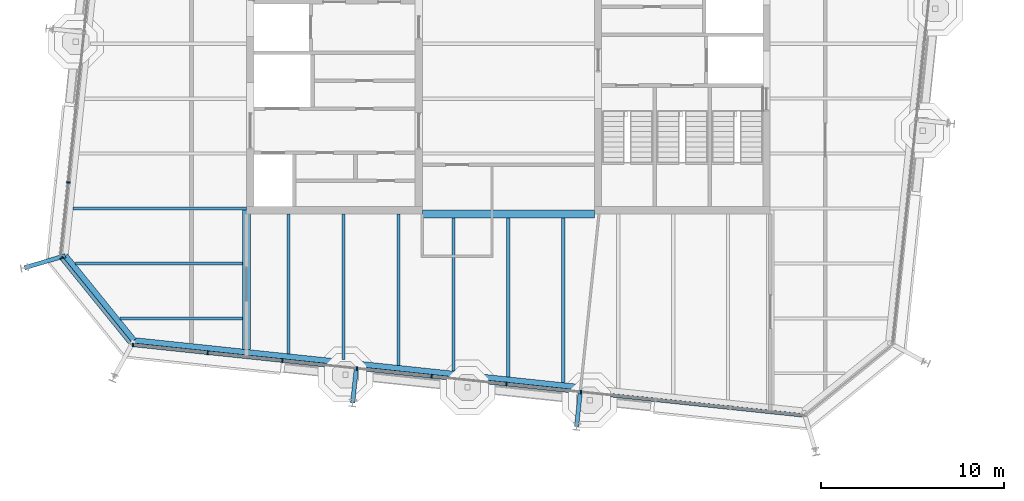
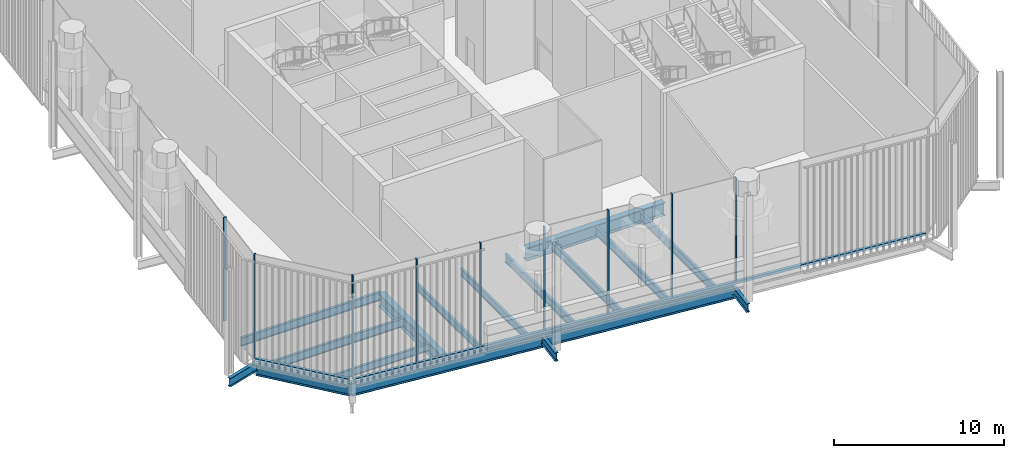
# One storey, part 3 of 17: 17 beams, 11 members, 3 elements without a shape of their own.
"""IFC4 building model written with IfcOpenShell, lengths in metres."""

import ifcopenshell
import ifcopenshell.guid

model = None  # the IFC model being written
_history = None  # IfcOwnerHistory: only IFC2X3 demands one
_inside = {}  # id of a spatial element -> (the spatial element, [elements in it])
_under = {}  # id of a project, library or spatial element -> (it, [spatial elements below it])
_declared = {}  # id of a project -> (the project, [libraries it declares])
_typed = {}  # id of a type object -> (the type object, [elements of that type])
_made_of = {}  # id of a material, layer set ... -> (it, [elements and type objects made of it])


def new_model(schema):
    """Start an empty IFC model of exactly this schema.

    Asked for "IFC4X3", IfcOpenShell would pick the latest addendum, in which some entities
    have other attributes; the version numbers below select the first issue.
    IFC2X3 requires an IfcOwnerHistory on every rooted entity: one is made here for all.
    """
    global model, _history
    if schema == "IFC4X3":
        model = ifcopenshell.file(schema_version=(4, 3, 0, 0))
    else:
        model = ifcopenshell.file(schema=schema)
    _inside.clear()
    _under.clear()
    _declared.clear()
    _typed.clear()
    _made_of.clear()
    _history = None
    if model.schema == "IFC2X3":
        org = make("IfcOrganization", Name="unknown")
        user = make(
            "IfcPersonAndOrganization",
            ThePerson=make("IfcPerson", FamilyName="unknown"),
            TheOrganization=org,
        )
        app = make(
            "IfcApplication",
            ApplicationDeveloper=org,
            Version="unknown",
            ApplicationFullName="unknown",
            ApplicationIdentifier="unknown",
        )
        _history = make(
            "IfcOwnerHistory",
            OwningUser=user,
            OwningApplication=app,
            ChangeAction="ADDED",
            CreationDate=0,
        )
    return model


def make(cls, **values):
    """One entity of the class cls with the attributes given. An attribute that is None is left unset."""
    return model.create_entity(
        cls, **{name: value for name, value in values.items() if value is not None}
    )


def rooted(cls, **values):
    """An entity with a GlobalId (a new one), such as an element, a storey or a relation."""
    return make(cls, GlobalId=ifcopenshell.guid.new(), OwnerHistory=_history, **values)


def si_unit(unit_type, name, prefix=None):
    """IfcSIUnit, for example si_unit("LENGTHUNIT", "METRE", prefix="MILLI")."""
    return make("IfcSIUnit", UnitType=unit_type, Prefix=prefix, Name=name)


def assignment(units):
    """IfcUnitAssignment: the units of a project."""
    return None if units is None else make("IfcUnitAssignment", Units=units)


def point(xyz):
    """IfcCartesianPoint."""
    return None if xyz is None else make("IfcCartesianPoint", Coordinates=xyz)


def direction(xyz):
    """IfcDirection."""
    return None if xyz is None else make("IfcDirection", DirectionRatios=xyz)


def frame(location, z_axis=None, x_axis=None):
    """IfcAxis2Placement3D, a coordinate frame: its origin and axes. An axis left out is left unset."""
    return make(
        "IfcAxis2Placement3D",
        Location=point(location),
        Axis=direction(z_axis),
        RefDirection=direction(x_axis),
    )


def frame_2d(location, x_axis=None):
    """IfcAxis2Placement2D, a coordinate frame in the plane: its origin and x axis."""
    return make(
        "IfcAxis2Placement2D", Location=point(location), RefDirection=direction(x_axis)
    )


def origin():
    """The frame at (0, 0, 0) with its axes left unset."""
    return frame((0.0, 0.0, 0.0))


def origin_2d():
    """The frame at (0, 0) in the plane with its x axis left unset."""
    return frame_2d((0.0, 0.0))


def place(relative_to, where):
    """IfcLocalPlacement: puts the frame where relative to a parent placement (None: the world)."""
    return make(
        "IfcLocalPlacement", PlacementRelTo=relative_to, RelativePlacement=where
    )


def context(
    kind, dimensions, precision=None, world=None, true_north=None, identifier=None
):
    """IfcGeometricRepresentationContext, for example the 3D "Model" context."""
    return make(
        "IfcGeometricRepresentationContext",
        ContextIdentifier=identifier,
        ContextType=kind,
        CoordinateSpaceDimension=dimensions,
        Precision=precision,
        WorldCoordinateSystem=world,
        TrueNorth=true_north,
    )


def subcontext(parent, identifier, kind, view, scale=None):
    """IfcGeometricRepresentationSubContext, for example "Body" below "Model"."""
    return make(
        "IfcGeometricRepresentationSubContext",
        ContextIdentifier=identifier,
        ContextType=kind,
        ParentContext=parent,
        TargetScale=scale,
        TargetView=view,
    )


def project(units=None, contexts=None):
    """IfcProject with its units and contexts."""
    return rooted(
        "IfcProject",
        Name="project",
        RepresentationContexts=contexts,
        UnitsInContext=assignment(units),
    )


def spatial(cls, under=None, at=None, **own):
    """A site, building, storey or space (cls), placed at a placement, below another one or the project."""
    s = rooted(cls, ObjectPlacement=at, **own)
    if under is not None:
        _under.setdefault(under.id(), (under, []))[1].append(s)
    return s


def profile(cls, at=None, kind="AREA", **sizes):
    """A parametric profile (cls). Its sizes go by their IFC names, for example OverallWidth=200.0."""
    return make(cls, ProfileType=kind, Position=at, **sizes)


def rectangle(**sizes):
    """IfcRectangleProfileDef."""
    return profile("IfcRectangleProfileDef", **sizes)


def i_section(**sizes):
    """IfcIShapeProfileDef."""
    return profile("IfcIShapeProfileDef", **sizes)


def extrude(swept, where, along, depth):
    """IfcExtrudedAreaSolid: the profile swept, set in the frame where, extruded along a direction by depth."""
    return make(
        "IfcExtrudedAreaSolid",
        SweptArea=swept,
        Position=where,
        ExtrudedDirection=direction(along),
        Depth=depth,
    )


def shape(context_of_items, identifier, shape_type, items):
    """IfcShapeRepresentation: the items that make up one representation, for example the "Body"."""
    return make(
        "IfcShapeRepresentation",
        ContextOfItems=context_of_items,
        RepresentationIdentifier=identifier,
        RepresentationType=shape_type,
        Items=items,
    )


def material(Name=None, Category=None):
    """IfcMaterial."""
    return make("IfcMaterial", Name=Name, Category=Category)


def layer(
    of_material, thickness, ventilated=None, Name=None, Category=None, Priority=None
):
    """IfcMaterialLayer: one layer of a wall or slab, of a material (None: an air gap)."""
    return make(
        "IfcMaterialLayer",
        Material=of_material,
        LayerThickness=thickness,
        IsVentilated=ventilated,
        Name=Name,
        Category=Category,
        Priority=Priority,
    )


def layer_set(layers, Name=None):
    """IfcMaterialLayerSet."""
    return make("IfcMaterialLayerSet", MaterialLayers=layers, LayerSetName=Name)


def material_profile(
    of_material, cross_section, Name=None, Category=None, Priority=None
):
    """IfcMaterialProfile: a cross section and its material."""
    return make(
        "IfcMaterialProfile",
        Name=Name,
        Material=of_material,
        Profile=cross_section,
        Priority=Priority,
        Category=Category,
    )


def profile_set(profiles, Name=None, composite=None):
    """IfcMaterialProfileSet."""
    return make(
        "IfcMaterialProfileSet",
        Name=Name,
        MaterialProfiles=profiles,
        CompositeProfile=composite,
    )


def made_of(thing, what):
    """Note that an element or type object is made of a material, layer set ...; save() writes the relation."""
    if what is not None:
        _made_of.setdefault(what.id(), (what, []))[1].append(thing)
    return thing


def type_object(cls, material=None, **own):
    """A type object (cls), such as IfcWallType, which elements share."""
    return made_of(rooted(cls, **own), material)


def element(
    cls,
    number,
    at=None,
    inside=None,
    cuts=None,
    type_object=None,
    material=None,
    context=None,
    identifier="Body",
    shape_type=None,
    held_by="IfcProductDefinitionShape",
    body=None,
    shapes=None,
    **own,
):
    """One element of the class cls, such as IfcWall. Its Tag is "e" and its number.

    at: its placement. inside: the storey or other place that contains it. cuts: it is an
    opening in that element (IfcRelVoidsElement). A single representation is given by context,
    identifier, shape_type and body (its items); several are given by shapes. held_by: the class
    of the entity that holds the representations. save() writes the other relations.
    """
    e = rooted(cls, Tag="e%d" % number, ObjectPlacement=at, **own)
    if body is not None:
        shapes = [shape(context, identifier, shape_type, body)]
    if shapes is not None:
        e.Representation = make(held_by, Representations=shapes)
    if inside is not None:
        _inside.setdefault(inside.id(), (inside, []))[1].append(e)
    if cuts is not None:
        rooted(
            "IfcRelVoidsElement", RelatingBuildingElement=cuts, RelatedOpeningElement=e
        )
    if type_object is not None:
        _typed.setdefault(type_object.id(), (type_object, []))[1].append(e)
    return made_of(e, material)


def aggregate(whole, parts):
    """IfcRelAggregates: a whole, such as a stair, and the parts it consists of."""
    return rooted("IfcRelAggregates", RelatingObject=whole, RelatedObjects=parts)


def save(model, path):
    """Write the relations noted so far, then the file.

    IfcRelAggregates (storeys below a building ...), IfcRelContainedInSpatialStructure (elements
    in a storey), IfcRelDefinesByType, IfcRelAssociatesMaterial and IfcRelDeclares: one each for
    every whole, place, type object, material and project.
    """
    for whole, parts in _under.values():
        aggregate(whole, parts)
    for where, things in _inside.values():
        rooted(
            "IfcRelContainedInSpatialStructure",
            RelatedElements=things,
            RelatingStructure=where,
        )
    for kind, things in _typed.values():
        rooted("IfcRelDefinesByType", RelatedObjects=things, RelatingType=kind)
    for what, things in _made_of.values():
        rooted("IfcRelAssociatesMaterial", RelatedObjects=things, RelatingMaterial=what)
    for by, libraries in _declared.values():
        rooted("IfcRelDeclares", RelatingContext=by, RelatedDefinitions=libraries)
    model.write(path)


model = new_model("IFC4")

# Units and contexts
model_context = context("Model", 3, precision=1e-05, world=origin(), true_north=direction((0.0, 1.0)))
body_context = subcontext(model_context, "Body", "Model", "MODEL_VIEW")
ifc_project = project(units=[si_unit("LENGTHUNIT", "METRE"), si_unit("AREAUNIT", "SQUARE_METRE"), si_unit("VOLUMEUNIT", "CUBIC_METRE"), si_unit("PLANEANGLEUNIT", "RADIAN"), si_unit("MASSUNIT", "GRAM", prefix="KILO")], contexts=[model_context])

# Site, building, storey
site_placement = place(None, origin())
site = spatial("IfcSite", under=ifc_project, at=site_placement, CompositionType="ELEMENT")
building_placement = place(site_placement, origin())
building = spatial("IfcBuilding", under=site, at=building_placement, Name="Millrace Tower", CompositionType="ELEMENT")
storey_placement = place(building_placement, frame((0.0, 0.0, 311.10009765625)))
storey = spatial("IfcBuildingStorey", under=building, at=storey_placement, Name="L72", CompositionType="ELEMENT", Elevation=311.10009765625)

# Curtain wall, member
ifc_material_1 = material(Name="Aluminium and glass", Category="aluminium")
ifc_layer = layer(ifc_material_1, 0.199951171875)
ifc_layer_set = layer_set([ifc_layer], Name="Aluminium and glass")
curtain_wall_type = type_object("IfcCurtainWallType", Name="CW-4 sky garden winter glazing", PredefinedType="NOTDEFINED", material=ifc_layer_set)
placement = place(storey_placement, origin())
curtain_wall_1 = element("IfcCurtainWall", 1, at=placement, inside=storey, type_object=curtain_wall_type, Name="Curtain wall E-F01 L72", PredefinedType="NOTDEFINED")
ifc_material_2 = material(Name="Aluminium", Category="aluminium")
ifc_material_profile_1 = material_profile(ifc_material_2, rectangle(XDim=0.080078125, YDim=0.199951171875, at=origin_2d()))
ifc_profile_set_1 = profile_set([ifc_material_profile_1], Name="Aluminium")
member_type_1 = type_object("IfcMemberType", Name="CW-4 sky garden winter glazing mullion", PredefinedType="MULLION", material=ifc_profile_set_1)
member_1_placement = place(storey_placement, frame((-24.406494140625, -11.71484375, 0.179931640625), z_axis=(0.0, 0.0, 1.0), x_axis=(0.629320278945, -0.777146052237, 0.0)))
member_1 = element("IfcMember", 2, at=member_1_placement, type_object=member_type_1, Name="CW4 mullion E-F01.1", PredefinedType="MULLION", context=body_context, shape_type="SweptSolid", body=[
    extrude(rectangle(XDim=0.080078125, YDim=0.199951171875, at=origin_2d()), origin(), (0.0, 0.0, 1.0), 7.419921875),
])

# Curtain wall, members
curtain_wall_2 = element("IfcCurtainWall", 3, at=placement, inside=storey, type_object=curtain_wall_type, Name="Curtain wall E-F02 L72", PredefinedType="NOTDEFINED")
member_2_placement = place(storey_placement, frame((-20.49755859375, -16.450439453125, 0.179931640625), z_axis=(0.0, 0.0, 1.0), x_axis=(0.994521896217, -0.104528455196, 0.0)))
member_2 = element("IfcMember", 4, at=member_2_placement, type_object=member_type_1, Name="CW4 mullion E-F02.1", PredefinedType="MULLION", context=body_context, shape_type="SweptSolid", body=[
    extrude(rectangle(XDim=0.080078125, YDim=0.199951171875, at=origin_2d()), origin(), (0.0, 0.0, 1.0), 7.419921875),
])
member_3_placement = place(storey_placement, frame((-16.420166015625, -16.87890625, 0.179931640625), z_axis=(0.0, 0.0, 1.0), x_axis=(0.994521896217, -0.104528455196, 0.0)))
member_3 = element("IfcMember", 5, at=member_3_placement, type_object=member_type_1, Name="CW4 mullion E-F02.2", PredefinedType="MULLION", context=body_context, shape_type="SweptSolid", body=[
    extrude(rectangle(XDim=0.080078125, YDim=0.199951171875, at=origin_2d()), origin(), (0.0, 0.0, 1.0), 7.419921875),
])
member_4_placement = place(storey_placement, frame((-12.342529296875, -17.3076171875, 0.179931640625), z_axis=(0.0, 0.0, 1.0), x_axis=(0.994521896217, -0.104528455196, 0.0)))
member_4 = element("IfcMember", 6, at=member_4_placement, type_object=member_type_1, Name="CW4 mullion E-F02.3", PredefinedType="MULLION", context=body_context, shape_type="SweptSolid", body=[
    extrude(rectangle(XDim=0.080078125, YDim=0.199951171875, at=origin_2d()), origin(), (0.0, 0.0, 1.0), 7.419921875),
])
member_5_placement = place(storey_placement, frame((-8.264892578125, -17.736083984375, 0.179931640625), z_axis=(0.0, 0.0, 1.0), x_axis=(0.994521896217, -0.104528455196, 0.0)))
member_5 = element("IfcMember", 7, at=member_5_placement, type_object=member_type_1, Name="CW4 mullion E-F02.4", PredefinedType="MULLION", context=body_context, shape_type="SweptSolid", body=[
    extrude(rectangle(XDim=0.080078125, YDim=0.199951171875, at=origin_2d()), origin(), (0.0, 0.0, 1.0), 7.419921875),
])
member_6_placement = place(storey_placement, frame((-4.1875, -18.164794921875, 0.179931640625), z_axis=(0.0, 0.0, 1.0), x_axis=(0.994521896217, -0.104528455196, 0.0)))
member_6 = element("IfcMember", 8, at=member_6_placement, type_object=member_type_1, Name="CW4 mullion E-F02.5", PredefinedType="MULLION", context=body_context, shape_type="SweptSolid", body=[
    extrude(rectangle(XDim=0.080078125, YDim=0.199951171875, at=origin_2d()), origin(), (0.0, 0.0, 1.0), 7.419921875),
])
member_7_placement = place(storey_placement, frame((-0.10986328125, -18.59326171875, 0.179931640625), z_axis=(0.0, 0.0, 1.0), x_axis=(0.994521896217, -0.104528455196, 0.0)))
member_7 = element("IfcMember", 9, at=member_7_placement, type_object=member_type_1, Name="CW4 mullion E-F02.6", PredefinedType="MULLION", context=body_context, shape_type="SweptSolid", body=[
    extrude(rectangle(XDim=0.080078125, YDim=0.199951171875, at=origin_2d()), origin(), (0.0, 0.0, 1.0), 7.419921875),
])
member_8_placement = place(storey_placement, frame((3.967529296875, -19.02197265625, 0.179931640625), z_axis=(0.0, 0.0, 1.0), x_axis=(0.994521896217, -0.104528455196, 0.0)))
member_8 = element("IfcMember", 10, at=member_8_placement, type_object=member_type_1, Name="CW4 mullion E-F02.7", PredefinedType="MULLION", context=body_context, shape_type="SweptSolid", body=[
    extrude(rectangle(XDim=0.080078125, YDim=0.199951171875, at=origin_2d()), origin(), (0.0, 0.0, 1.0), 7.419921875),
])

# Curtain wall, member
curtain_wall_3 = element("IfcCurtainWall", 11, at=placement, inside=storey, type_object=curtain_wall_type, Name="Curtain wall E-F08 L72", PredefinedType="NOTDEFINED")
member_9_placement = place(storey_placement, frame((-24.029052734375, -7.57275390625, 0.179931640625), z_axis=(0.0, 0.0, 1.0), x_axis=(-0.104528455196, -0.994521896217, 0.0)))
member_9 = element("IfcMember", 12, at=member_9_placement, type_object=member_type_1, Name="CW4 mullion E-F08.9", PredefinedType="MULLION", context=body_context, shape_type="SweptSolid", body=[
    extrude(rectangle(XDim=0.080078125, YDim=0.199951171875, at=origin_2d()), origin(), (0.0, 0.0, 1.0), 7.419921875),
])
aggregate(curtain_wall_3, [member_9])

# Member
ifc_material_3 = material(Name="Aluminium", Category="aluminium")
ifc_material_profile_2 = material_profile(ifc_material_3, rectangle(XDim=0.199951171875, YDim=0.179931640625, at=origin_2d()))
ifc_profile_set_2 = profile_set([ifc_material_profile_2], Name="Aluminium")
member_type_2 = type_object("IfcMemberType", Name="CW-4 sky garden winter glazing transom", PredefinedType="USERDEFINED", material=ifc_profile_set_2)
member_10_placement = place(storey_placement, frame((-24.36865234375, -11.761474609375, 0.08984375), z_axis=(0.629321221277, -0.777145289151, 0.0), x_axis=(0.777145289151, 0.629321221277, 0.0)))
member_10 = element("IfcMember", 13, at=member_10_placement, type_object=member_type_2, Name="CW4 transom E-F01.1", ObjectType="TRANSOM", PredefinedType="USERDEFINED", context=body_context, shape_type="SweptSolid", body=[
    extrude(rectangle(XDim=0.199951171875, YDim=0.179931640625, at=origin_2d()), origin(), (0.0, 0.0, 1.0), 5.881103515625),
])

aggregate(curtain_wall_1, [member_1, member_10])

member_11_placement = place(storey_placement, frame((-20.43798828125, -16.456787109375, 0.08984375), z_axis=(0.994521952886, -0.104527916025, 0.0), x_axis=(0.104527916025, 0.994521952886, 0.0)))
member_11 = element("IfcMember", 14, at=member_11_placement, type_object=member_type_2, Name="CW4 transom E-F02.1", ObjectType="TRANSOM", PredefinedType="USERDEFINED", context=body_context, shape_type="SweptSolid", body=[
    extrude(rectangle(XDim=0.199951171875, YDim=0.179931640625, at=origin_2d()), origin(), (0.0, 0.0, 1.0), 36.699951171875),
])

aggregate(curtain_wall_2, [member_2, member_3, member_4, member_5, member_6, member_7, member_8, member_11])

# Beams
ifc_material_4 = material(Name="Steel ASTM A992 Grade 50", Category="steel")
ifc_material_profile_3 = material_profile(ifc_material_4, i_section(OverallWidth=0.1650390625, OverallDepth=0.52587890625, WebThickness=0.0087890625, FlangeThickness=0.011474609375, FilletRadius=0.0126953125, at=origin_2d()))
ifc_profile_set_3 = profile_set([ifc_material_profile_3], Name="Steel ASTM A992 Grade 50")
beam_type_1 = type_object("IfcBeamType", Name="Floor beam W21x44", PredefinedType="JOIST", material=ifc_profile_set_3)
beam_1_placement = place(storey_placement, frame((-12.0, -16.93408203125, -0.512939453125), z_axis=(0.0, 1.0, 0.0), x_axis=(-1.0, 0.0, 0.0)))
element("IfcBeam", 15, at=beam_1_placement, inside=storey, type_object=beam_type_1, Name="BM-E-L72-S1-S037", PredefinedType="JOIST", context=body_context, shape_type="SweptSolid", body=[
    extrude(i_section(OverallWidth=0.1650390625, OverallDepth=0.52587890625, WebThickness=0.0087890625, FlangeThickness=0.011474609375, FilletRadius=0.0126953125, at=origin_2d()), origin(), (0.0, 0.0, 1.0), 7.634033203125),
])
beam_2_placement = place(storey_placement, frame((-9.0, -17.249267578125, -0.512939453125), z_axis=(0.0, 1.0, 0.0), x_axis=(-1.0, 0.0, 0.0)))
element("IfcBeam", 16, at=beam_2_placement, inside=storey, type_object=beam_type_1, Name="BM-E-L72-S1-S039", PredefinedType="JOIST", context=body_context, shape_type="SweptSolid", body=[
    extrude(i_section(OverallWidth=0.1650390625, OverallDepth=0.52587890625, WebThickness=0.0087890625, FlangeThickness=0.011474609375, FilletRadius=0.0126953125, at=origin_2d()), origin(), (0.0, 0.0, 1.0), 7.94921875),
])
beam_3_placement = place(storey_placement, frame((-21.214111328125, -15.0, -0.512939453125), z_axis=(1.0, 0.0, 0.0), x_axis=(0.0, 1.0, 0.0)))
element("IfcBeam", 17, at=beam_3_placement, inside=storey, type_object=beam_type_1, Name="BM-E-L72-S1-S002", PredefinedType="JOIST", context=body_context, shape_type="SweptSolid", body=[
    extrude(i_section(OverallWidth=0.1650390625, OverallDepth=0.52587890625, WebThickness=0.0087890625, FlangeThickness=0.011474609375, FilletRadius=0.0126953125, at=origin_2d()), origin(), (0.0, 0.0, 1.0), 6.70458984375),
])
ifc_material_5 = material(Name="Steel ASTM A992 Grade 50", Category="steel")
ifc_material_profile_4 = material_profile(ifc_material_5, i_section(OverallWidth=0.177978515625, OverallDepth=0.599365234375, WebThickness=0.010009765625, FlangeThickness=0.012939453125, FilletRadius=0.012939453125, at=origin_2d()))
ifc_profile_set_4 = profile_set([ifc_material_profile_4], Name="Steel ASTM A992 Grade 50")
beam_type_2 = type_object("IfcBeamType", Name="Floor beam W24x55", PredefinedType="JOIST", material=ifc_profile_set_4)
beam_4_placement = place(storey_placement, frame((-23.76953125, -9.0, -0.5498046875), z_axis=(1.0, 0.0, 0.0), x_axis=(0.0, 1.0, 0.0)))
element("IfcBeam", 18, at=beam_4_placement, inside=storey, type_object=beam_type_2, Name="BM-E-L72-S1-S006", PredefinedType="JOIST", context=body_context, shape_type="SweptSolid", body=[
    extrude(i_section(OverallWidth=0.177978515625, OverallDepth=0.599365234375, WebThickness=0.010009765625, FlangeThickness=0.012939453125, FilletRadius=0.012939453125, at=origin_2d()), origin(), (0.0, 0.0, 1.0), 9.469482421875),
])
beam_5_placement = place(storey_placement, frame((-6.0, -17.564697265625, -0.5498046875), z_axis=(0.0, 1.0, 0.0), x_axis=(-1.0, 0.0, 0.0)))
element("IfcBeam", 19, at=beam_5_placement, inside=storey, type_object=beam_type_2, Name="BM-E-L72-S1-S041", PredefinedType="JOIST", context=body_context, shape_type="SweptSolid", body=[
    extrude(i_section(OverallWidth=0.177978515625, OverallDepth=0.599365234375, WebThickness=0.010009765625, FlangeThickness=0.012939453125, FilletRadius=0.012939453125, at=origin_2d()), origin(), (0.0, 0.0, 1.0), 8.2646484375),
])
beam_6_placement = place(storey_placement, frame((-3.0, -17.8798828125, -0.5498046875), z_axis=(0.0, 1.0, 0.0), x_axis=(-1.0, 0.0, 0.0)))
element("IfcBeam", 20, at=beam_6_placement, inside=storey, type_object=beam_type_2, Name="BM-E-L72-S1-S043", PredefinedType="JOIST", context=body_context, shape_type="SweptSolid", body=[
    extrude(i_section(OverallWidth=0.177978515625, OverallDepth=0.599365234375, WebThickness=0.010009765625, FlangeThickness=0.012939453125, FilletRadius=0.012939453125, at=origin_2d()), origin(), (0.0, 0.0, 1.0), 8.370361328125),
])
beam_7_placement = place(storey_placement, frame((0.0, -18.1953125, -0.5498046875), z_axis=(0.0, 1.0, 0.0), x_axis=(-1.0, 0.0, 0.0)))
element("IfcBeam", 21, at=beam_7_placement, inside=storey, type_object=beam_type_2, Name="BM-E-L72-S1-S045", PredefinedType="JOIST", context=body_context, shape_type="SweptSolid", body=[
    extrude(i_section(OverallWidth=0.177978515625, OverallDepth=0.599365234375, WebThickness=0.010009765625, FlangeThickness=0.012939453125, FilletRadius=0.012939453125, at=origin_2d()), origin(), (0.0, 0.0, 1.0), 8.685791015625),
])
beam_8_placement = place(storey_placement, frame((3.0, -18.510498046875, -0.5498046875), z_axis=(0.0, 1.0, 0.0), x_axis=(-1.0, 0.0, 0.0)))
element("IfcBeam", 22, at=beam_8_placement, inside=storey, type_object=beam_type_2, Name="BM-E-L72-S1-S047", PredefinedType="JOIST", context=body_context, shape_type="SweptSolid", body=[
    extrude(i_section(OverallWidth=0.177978515625, OverallDepth=0.599365234375, WebThickness=0.010009765625, FlangeThickness=0.012939453125, FilletRadius=0.012939453125, at=origin_2d()), origin(), (0.0, 0.0, 1.0), 9.0009765625),
])
beam_9_placement = place(storey_placement, frame((-23.635498046875, -12.0, -0.5498046875), z_axis=(1.0, 0.0, 0.0), x_axis=(0.0, 1.0, 0.0)))
element("IfcBeam", 23, at=beam_9_placement, inside=storey, type_object=beam_type_2, Name="BM-E-L72-S1-S004", PredefinedType="JOIST", context=body_context, shape_type="SweptSolid", body=[
    extrude(i_section(OverallWidth=0.177978515625, OverallDepth=0.599365234375, WebThickness=0.010009765625, FlangeThickness=0.012939453125, FilletRadius=0.012939453125, at=origin_2d()), origin(), (0.0, 0.0, 1.0), 9.1259765625),
])
ifc_material_6 = material(Name="Steel ASTM A992 Grade 50", Category="steel")
ifc_material_profile_5 = material_profile(ifc_material_6, i_section(OverallWidth=0.419189453125, OverallDepth=0.927001953125, WebThickness=0.019287109375, FlangeThickness=0.031982421875, FilletRadius=0.024169921875, at=origin_2d()))
ifc_profile_set_5 = profile_set([ifc_material_profile_5], Name="Steel ASTM A992 Grade 50")
beam_type_3 = type_object("IfcBeamType", Name="Girder short span W36x231", PredefinedType="BEAM", material=ifc_profile_set_5)
beam_10_placement = place(storey_placement, frame((-14.300048828125, -16.6923828125, -0.713623046875), z_axis=(0.0, 1.0, 0.0), x_axis=(-1.0, 0.0, 0.0)))
element("IfcBeam", 24, at=beam_10_placement, inside=storey, type_object=beam_type_3, Name="BM-E-L72-S1-G055", PredefinedType="BEAM", context=body_context, shape_type="SweptSolid", body=[
    extrude(i_section(OverallWidth=0.419189453125, OverallDepth=0.927001953125, WebThickness=0.019287109375, FlangeThickness=0.031982421875, FilletRadius=0.024169921875, at=origin_2d()), origin(), (0.0, 0.0, 1.0), 7.600341796875),
])
beam_11_placement = place(storey_placement, frame((-4.699951171875, -9.300048828125, -0.713623046875), z_axis=(1.0, 0.0, 0.0), x_axis=(0.0, 1.0, 0.0)))
element("IfcBeam", 25, at=beam_11_placement, inside=storey, type_object=beam_type_3, Name="BM-E-L72-S1-G059", PredefinedType="BEAM", context=body_context, shape_type="SweptSolid", body=[
    extrude(i_section(OverallWidth=0.419189453125, OverallDepth=0.927001953125, WebThickness=0.019287109375, FlangeThickness=0.031982421875, FilletRadius=0.024169921875, at=origin_2d()), origin(), (0.0, 0.0, 1.0), 9.39990234375),
])
ifc_material_7 = material(Name="Steel ASTM A992 Grade 50", Category="steel")
ifc_material_profile_6 = material_profile(ifc_material_7, i_section(OverallWidth=0.23046875, OverallDepth=0.6171875, WebThickness=0.01318359375, FlangeThickness=0.022216796875, FilletRadius=0.012939453125, at=origin_2d()))
ifc_profile_set_6 = profile_set([ifc_material_profile_6], Name="Steel ASTM A992 Grade 50")
beam_type_4 = type_object("IfcBeamType", Name="Link beam W24x94", PredefinedType="BEAM", material=ifc_profile_set_6)
beam_12_placement = place(storey_placement, frame((-24.1943359375, -11.57373046875, -0.55859375), z_axis=(-0.958815015936, -0.284031275065, 0.0), x_axis=(0.284031275065, -0.958815015936, 0.0)))
element("IfcBeam", 26, at=beam_12_placement, inside=storey, type_object=beam_type_4, Name="LNK-E-L72-S1-01", PredefinedType="BEAM", context=body_context, shape_type="SweptSolid", body=[
    extrude(i_section(OverallWidth=0.23046875, OverallDepth=0.6171875, WebThickness=0.01318359375, FlangeThickness=0.022216796875, FilletRadius=0.012939453125, at=origin_2d()), origin(), (0.0, 0.0, 1.0), 2.3310546875),
])
for number, where, z_axis, x_axis, name in (
    (27, (3.938232421875, -18.918212890625, -0.55859375), (-0.104494148666, -0.99452550138, 0.0), (0.99452550138, -0.104494148666, 0.0), "LNK-E-L72-S1-14"),
    (28, (-8.29443359375, -17.632568359375, -0.55859375), (-0.104494148666, -0.99452550138, 0.0), (0.99452550138, -0.104494148666, 0.0), "LNK-E-L72-S1-15"),
):
    element("IfcBeam", number, at=place(storey_placement, frame(where, z_axis=z_axis, x_axis=x_axis)), inside=storey, type_object=beam_type_4, Name=name, PredefinedType="BEAM", context=body_context, shape_type="SweptSolid", body=[
        extrude(i_section(OverallWidth=0.23046875, OverallDepth=0.6171875, WebThickness=0.01318359375, FlangeThickness=0.022216796875, FilletRadius=0.012939453125, at=origin_2d()), origin(), (0.0, 0.0, 1.0), 2.0),
    ])
ifc_material_8 = material(Name="Steel ASTM A992 Grade 50", Category="steel")
ifc_material_profile_7 = material_profile(ifc_material_8, i_section(OverallWidth=0.307373046875, OverallDepth=0.927001953125, WebThickness=0.01953125, FlangeThickness=0.031982421875, FilletRadius=0.01904296875, at=origin_2d()))
ifc_profile_set_7 = profile_set([ifc_material_profile_7], Name="Steel ASTM A992 Grade 50")
beam_type_5 = type_object("IfcBeamType", Name="Ring beam medium span W36x194", PredefinedType="SPANDREL", material=ifc_profile_set_7)
beam_13_placement = place(storey_placement, frame((3.954345703125, -18.765380859375, -0.713623046875), z_axis=(-0.994522406476, 0.104523600289, 0.0), x_axis=(-0.104523600289, -0.994522406476, 0.0)))
element("IfcBeam", 29, at=beam_13_placement, inside=storey, type_object=beam_type_5, Name="RNG-E-L72-S1-14", PredefinedType="SPANDREL", context=body_context, shape_type="SweptSolid", body=[
    extrude(i_section(OverallWidth=0.307373046875, OverallDepth=0.927001953125, WebThickness=0.01953125, FlangeThickness=0.031982421875, FilletRadius=0.01904296875, at=origin_2d()), origin(), (0.0, 0.0, 1.0), 12.300048828125),
])
beam_14_placement = place(storey_placement, frame((-8.2783203125, -17.479736328125, -0.713623046875), z_axis=(-0.994521730693, 0.104530030035, 0.0), x_axis=(-0.104530030035, -0.994521730693, 0.0)))
element("IfcBeam", 30, at=beam_14_placement, inside=storey, type_object=beam_type_5, Name="RNG-E-L72-S1-15", PredefinedType="SPANDREL", context=body_context, shape_type="SweptSolid", body=[
    extrude(i_section(OverallWidth=0.307373046875, OverallDepth=0.927001953125, WebThickness=0.01953125, FlangeThickness=0.031982421875, FilletRadius=0.01904296875, at=origin_2d()), origin(), (0.0, 0.0, 1.0), 12.236328125),
])
ifc_material_9 = material(Name="Steel ASTM A992 Grade 50", Category="steel")
ifc_material_profile_8 = material_profile(ifc_material_9, i_section(OverallWidth=0.307373046875, OverallDepth=0.927001953125, WebThickness=0.01953125, FlangeThickness=0.031982421875, FilletRadius=0.01904296875, at=origin_2d()))
ifc_profile_set_8 = profile_set([ifc_material_profile_8], Name="Steel ASTM A992 Grade 50")
beam_type_6 = type_object("IfcBeamType", Name="Ring beam short span W36x194", PredefinedType="SPANDREL", material=ifc_profile_set_8)
beam_15_placement = place(storey_placement, frame((-20.447509765625, -16.20068359375, -0.713623046875), z_axis=(-0.629319722443, 0.777146502883, 0.0), x_axis=(-0.777146502883, -0.629319722443, 0.0)))
element("IfcBeam", 31, at=beam_15_placement, inside=storey, type_object=beam_type_6, Name="RNG-E-L72-S1-16", PredefinedType="SPANDREL", context=body_context, shape_type="SweptSolid", body=[
    extrude(i_section(OverallWidth=0.307373046875, OverallDepth=0.927001953125, WebThickness=0.01953125, FlangeThickness=0.031982421875, FilletRadius=0.01904296875, at=origin_2d()), origin(), (0.0, 0.0, 1.0), 5.953857421875),
])

save(model, "model.ifc")
